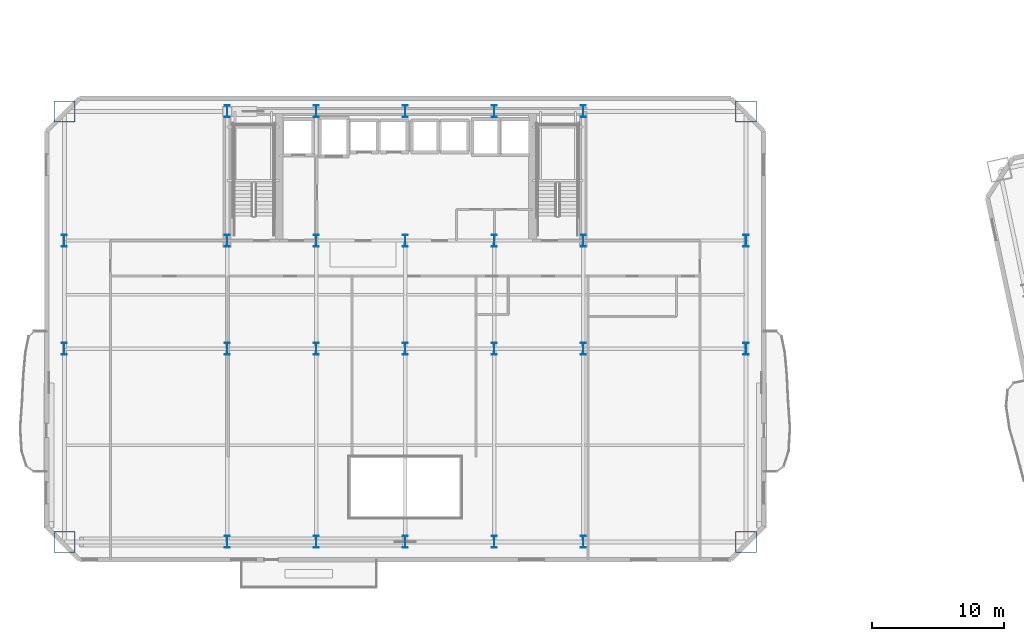
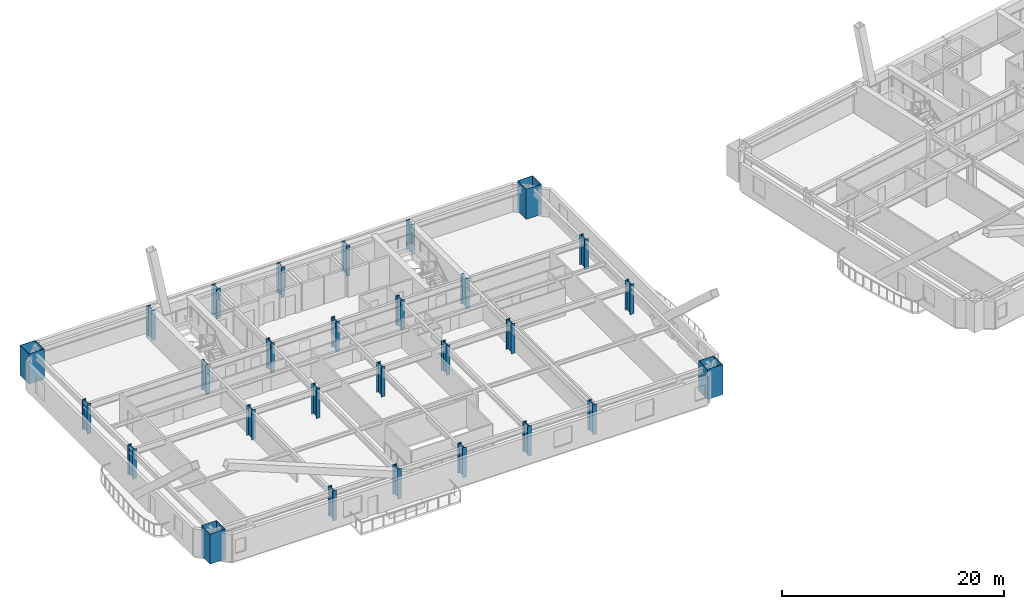
# One storey, part 1 of 17: 28 columns.
"""IFC4 building model written with IfcOpenShell, lengths in metres."""

from ifc_helpers import new_model, si_unit, direction, frame, origin, origin_2d, place, context, subcontext, project, spatial, hollow_rectangle, i_section, extrude, material, material_profile, profile_set, type_object, element, save


model = new_model("IFC4")

# Units and contexts
model_context = context("Model", 3, precision=1e-05, world=origin(), true_north=direction((0.0, 1.0)))
body_context = subcontext(model_context, "Body", "Model", "MODEL_VIEW")
ifc_project = project(units=[si_unit("LENGTHUNIT", "METRE"), si_unit("AREAUNIT", "SQUARE_METRE"), si_unit("VOLUMEUNIT", "CUBIC_METRE"), si_unit("PLANEANGLEUNIT", "RADIAN"), si_unit("MASSUNIT", "GRAM", prefix="KILO")], contexts=[model_context])

# Site, building, storey
site_placement = place(None, origin())
site = spatial("IfcSite", under=ifc_project, at=site_placement, CompositionType="ELEMENT")
building_placement = place(site_placement, origin())
building = spatial("IfcBuilding", under=site, at=building_placement, Name="Haevon Station Towers", CompositionType="ELEMENT")
storey_placement = place(building_placement, frame((0.0, 0.0, 40.5)))
storey = spatial("IfcBuildingStorey", under=building, at=storey_placement, Name="L09", CompositionType="ELEMENT", Elevation=40.5)

# Columns
ifc_material = material(Name="Steel S460", Category="steel")
ifc_material_profile_1 = material_profile(ifc_material, hollow_rectangle(XDim=1.60009765625, YDim=1.60009765625, WallThickness=0.0400390625, at=origin_2d()), Name="BOX-1600x1600x40")
ifc_profile_set_1 = profile_set([ifc_material_profile_1], Name="Steel S460")
column_type_1 = type_object("IfcColumnType", Name="COL-MC1", PredefinedType="COLUMN", material=ifc_profile_set_1)
for number, where, z_axis, x_axis, name in (
    (1, (11.64990234375, 15.35009765625, 0.0), (0.0, 0.0, 1.0), (1.0, 0.0, 0.0), "COL-T1-L09-01-01"),
    (2, (11.64990234375, 48.0, 0.0), (0.0, 0.0, 1.0), (1.0, 0.0, 0.0), "COL-T1-L09-01-04"),
    (3, (63.35009765625, 15.35009765625, 0.0), (0.0, 0.0, 1.0), (1.0, 0.0, 0.0), "COL-T1-L09-07-01"),
    (4, (63.35009765625, 48.0, 0.0), (0.0, 0.0, 1.0), (1.0, 0.0, 0.0), "COL-T1-L09-07-04"),
):
    element("IfcColumn", number, at=place(storey_placement, frame(where, z_axis=z_axis, x_axis=x_axis)), inside=storey, type_object=column_type_1, Name=name, PredefinedType="COLUMN", context=body_context, shape_type="SweptSolid", body=[
        extrude(hollow_rectangle(XDim=1.60009765625, YDim=1.60009765625, WallThickness=0.0400390625, at=origin_2d()), origin(), (0.0, 0.0, 1.0), 3.300048828125),
    ])
ifc_material_profile_2 = material_profile(ifc_material, i_section(OverallWidth=0.39990234375, OverallDepth=0.89990234375, WebThickness=0.02001953125, FlangeThickness=0.035888671875, at=origin_2d()), Name="H-900x400x20x36")
ifc_profile_set_2 = profile_set([ifc_material_profile_2], Name="Steel S460")
column_type_2 = type_object("IfcColumnType", Name="COL-TW1", PredefinedType="COLUMN", material=ifc_profile_set_2)
for number, where, z_axis, x_axis, name in (
    (5, (11.64990234375, 30.0, 0.0), (0.0, 0.0, 1.0), (1.0, 0.0, 0.0), "COL-T1-L09-01-02"),
    (6, (11.64990234375, 38.199951171875, 0.0), (0.0, 0.0, 1.0), (1.0, 0.0, 0.0), "COL-T1-L09-01-03"),
    (7, (24.0, 15.35009765625, 0.0), (0.0, 0.0, 1.0), (1.0, 0.0, 0.0), "COL-T1-L09-02-01"),
    (8, (24.0, 30.0, 0.0), (0.0, 0.0, 1.0), (1.0, 0.0, 0.0), "COL-T1-L09-02-02"),
    (9, (24.0, 38.199951171875, 0.0), (0.0, 0.0, 1.0), (1.0, 0.0, 0.0), "COL-T1-L09-02-03"),
    (10, (24.0, 48.0, 0.0), (0.0, 0.0, 1.0), (1.0, 0.0, 0.0), "COL-T1-L09-02-04"),
    (11, (30.75, 15.35009765625, 0.0), (0.0, 0.0, 1.0), (1.0, 0.0, 0.0), "COL-T1-L09-03-01"),
    (12, (30.75, 30.0, 0.0), (0.0, 0.0, 1.0), (1.0, 0.0, 0.0), "COL-T1-L09-03-02"),
    (13, (30.75, 38.199951171875, 0.0), (0.0, 0.0, 1.0), (1.0, 0.0, 0.0), "COL-T1-L09-03-03"),
    (14, (30.75, 48.0, 0.0), (0.0, 0.0, 1.0), (1.0, 0.0, 0.0), "COL-T1-L09-03-04"),
    (15, (37.5, 15.35009765625, 0.0), (0.0, 0.0, 1.0), (1.0, 0.0, 0.0), "COL-T1-L09-04-01"),
    (16, (37.5, 30.0, 0.0), (0.0, 0.0, 1.0), (1.0, 0.0, 0.0), "COL-T1-L09-04-02"),
    (17, (37.5, 38.199951171875, 0.0), (0.0, 0.0, 1.0), (1.0, 0.0, 0.0), "COL-T1-L09-04-03"),
    (18, (37.5, 48.0, 0.0), (0.0, 0.0, 1.0), (1.0, 0.0, 0.0), "COL-T1-L09-04-04"),
    (19, (44.25, 15.35009765625, 0.0), (0.0, 0.0, 1.0), (1.0, 0.0, 0.0), "COL-T1-L09-05-01"),
    (20, (44.25, 30.0, 0.0), (0.0, 0.0, 1.0), (1.0, 0.0, 0.0), "COL-T1-L09-05-02"),
    (21, (44.25, 38.199951171875, 0.0), (0.0, 0.0, 1.0), (1.0, 0.0, 0.0), "COL-T1-L09-05-03"),
    (22, (44.25, 48.0, 0.0), (0.0, 0.0, 1.0), (1.0, 0.0, 0.0), "COL-T1-L09-05-04"),
    (23, (51.0, 15.35009765625, 0.0), (0.0, 0.0, 1.0), (1.0, 0.0, 0.0), "COL-T1-L09-06-01"),
    (24, (51.0, 30.0, 0.0), (0.0, 0.0, 1.0), (1.0, 0.0, 0.0), "COL-T1-L09-06-02"),
    (25, (51.0, 38.199951171875, 0.0), (0.0, 0.0, 1.0), (1.0, 0.0, 0.0), "COL-T1-L09-06-03"),
    (26, (51.0, 48.0, 0.0), (0.0, 0.0, 1.0), (1.0, 0.0, 0.0), "COL-T1-L09-06-04"),
    (27, (63.35009765625, 30.0, 0.0), (0.0, 0.0, 1.0), (1.0, 0.0, 0.0), "COL-T1-L09-07-02"),
    (28, (63.35009765625, 38.199951171875, 0.0), (0.0, 0.0, 1.0), (1.0, 0.0, 0.0), "COL-T1-L09-07-03"),
):
    element("IfcColumn", number, at=place(storey_placement, frame(where, z_axis=z_axis, x_axis=x_axis)), inside=storey, type_object=column_type_2, Name=name, PredefinedType="COLUMN", context=body_context, shape_type="SweptSolid", body=[
        extrude(i_section(OverallWidth=0.39990234375, OverallDepth=0.89990234375, WebThickness=0.02001953125, FlangeThickness=0.035888671875, at=origin_2d()), origin(), (0.0, 0.0, 1.0), 3.300048828125),
    ])

save(model, "model.ifc")
